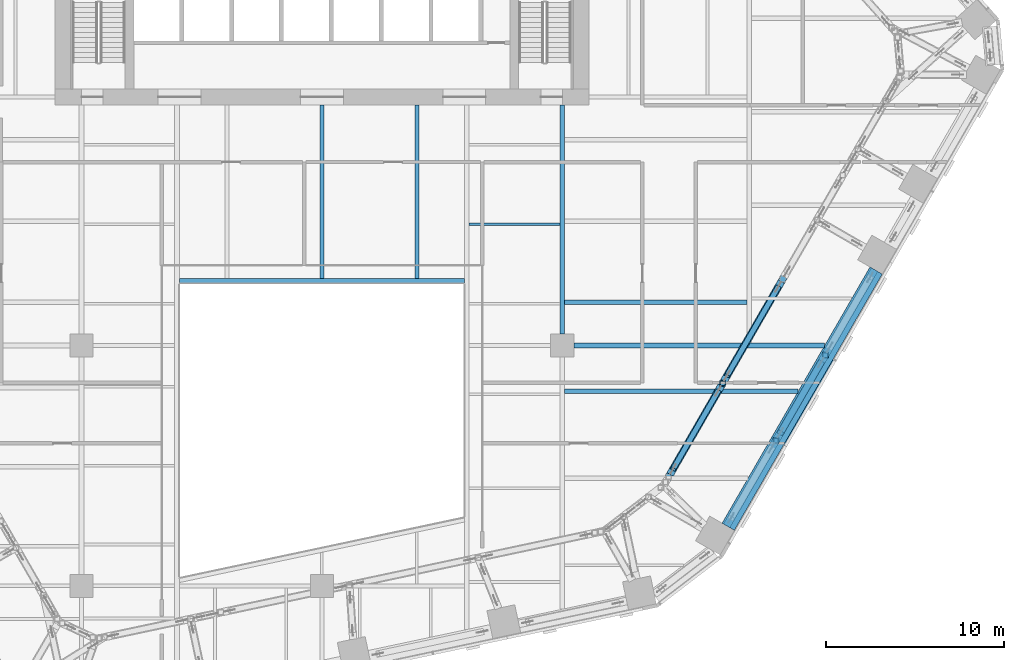
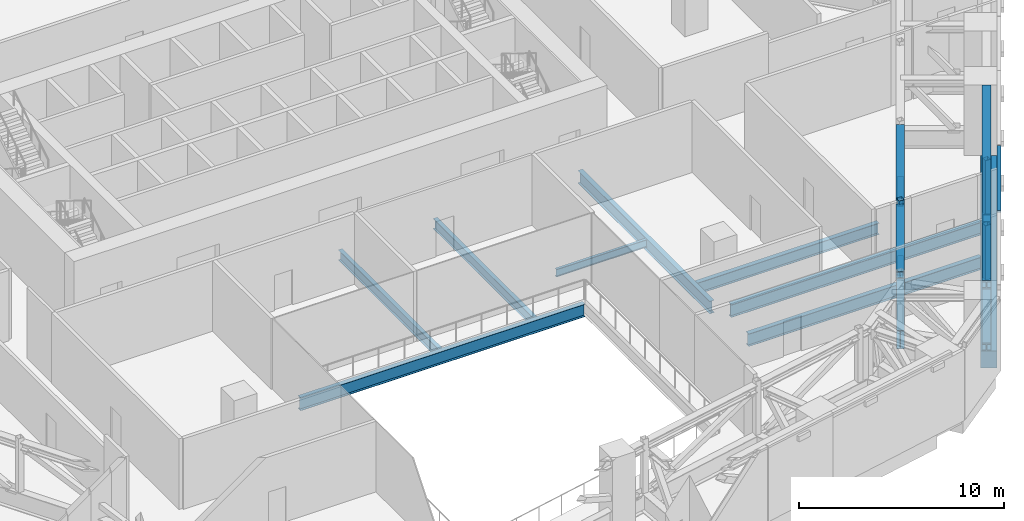
# One storey, part 8 of 36: 12 members, 9 beams, 1 element without a shape of its own.
"""IFC4 building model written with IfcOpenShell, lengths in metres."""

from ifc_helpers import new_model, si_unit, direction, frame, origin, origin_2d, place, context, subcontext, project, spatial, rectangle, hollow_rectangle, i_section, extrude, material, layer, layer_set, material_profile, profile_set, type_object, element, aggregate, save


model = new_model("IFC4")

# Units and contexts
model_context = context("Model", 3, precision=1e-05, world=origin(), true_north=direction((0.0, 1.0)))
body_context = subcontext(model_context, "Body", "Model", "MODEL_VIEW")
ifc_project = project(units=[si_unit("LENGTHUNIT", "METRE"), si_unit("AREAUNIT", "SQUARE_METRE"), si_unit("VOLUMEUNIT", "CUBIC_METRE"), si_unit("PLANEANGLEUNIT", "RADIAN"), si_unit("MASSUNIT", "GRAM", prefix="KILO")], contexts=[model_context])

# Site, building, storey
site_placement = place(None, origin())
site = spatial("IfcSite", under=ifc_project, at=site_placement, CompositionType="ELEMENT")
building_placement = place(site_placement, origin())
building = spatial("IfcBuilding", under=site, at=building_placement, Name="Isthmus Gate Tower", CompositionType="ELEMENT")
storey_placement = place(building_placement, frame((0.0, 0.0, 117.14990234375)))
storey = spatial("IfcBuildingStorey", under=building, at=storey_placement, Name="L28", CompositionType="ELEMENT", Elevation=117.14990234375)

# Members
ifc_material_1 = material(Name="Structural steel ASTM A913 Gr 65", Category="steel")
ifc_material_profile_1 = material_profile(ifc_material_1, i_section(OverallWidth=0.4287109375, OverallDepth=0.482666015625, WebThickness=0.05078125, FlangeThickness=0.0810546875, at=origin_2d()), Name="W14X455")
ifc_profile_set_1 = profile_set([ifc_material_profile_1], Name="Structural steel ASTM A913 Gr 65")
member_type_1 = type_object("IfcMemberType", Name="BELT TRUSS CHORD W14X455", PredefinedType="CHORD", material=ifc_profile_set_1)
for number, where, z_axis, x_axis, name in (
    (1, (31.03662109375, -9.242919921875, 0.241455078125), (-0.500006088445, -0.866021888591, 0.0), (0.866021888591, -0.500006088445, 0.0), "str-belt08-L28-03"),
    (2, (31.03662109375, -9.242919921875, 3.958740234375), (-0.500006088445, -0.866021888591, 0.0), (0.866021888591, -0.500006088445, 0.0), "str-belt08-L28-04"),
):
    element("IfcMember", number, at=place(storey_placement, frame(where, z_axis=z_axis, x_axis=x_axis)), inside=storey, type_object=member_type_1, Name=name, PredefinedType="CHORD", context=body_context, shape_type="SweptSolid", body=[
        extrude(i_section(OverallWidth=0.4287109375, OverallDepth=0.482666015625, WebThickness=0.05078125, FlangeThickness=0.0810546875, at=origin_2d()), origin(), (0.0, 0.0, 1.0), 16.615478515625),
    ])

# Curtain wall, member
ifc_material_2 = material(Name="Aluminium, pale champagne anodised", Category="aluminium")
ifc_layer = layer(ifc_material_2, 0.199951171875)
ifc_layer_set = layer_set([ifc_layer], Name="CW-2 LOUVRE CURTAIN WALL 200 DEEP")
curtain_wall_type = type_object("IfcCurtainWallType", Name="CW-2 LOUVRE CURTAIN WALL 200 DEEP", PredefinedType="NOTDEFINED", material=ifc_layer_set)
curtain_wall_placement = place(storey_placement, origin())
curtain_wall = element("IfcCurtainWall", 3, at=curtain_wall_placement, inside=storey, type_object=curtain_wall_type, Name="CW-2 SE L28", PredefinedType="NOTDEFINED")
ifc_material_3 = material(Name="Aluminium, pale champagne anodised", Category="aluminium")
ifc_material_profile_2 = material_profile(ifc_material_3, rectangle(XDim=0.199951171875, YDim=0.1201171875, at=origin_2d()), Name="200x120")
ifc_profile_set_2 = profile_set([ifc_material_profile_2], Name="Aluminium, pale champagne anodised")
member_type_2 = type_object("IfcMemberType", Name="CW-2 TRANSOM 200 X 120", PredefinedType="USERDEFINED", material=ifc_profile_set_2)
member_1_placement = place(storey_placement, frame((26.017822265625, -19.135986328125, 4.440185546875), z_axis=(0.499993363642, 0.866029235253, 0.0), x_axis=(-0.866029235253, 0.499993363642, 0.0)))
member_1 = element("IfcMember", 4, at=member_1_placement, type_object=member_type_2, Name="CW-2 transom", ObjectType="TRANSOM", PredefinedType="USERDEFINED", context=body_context, shape_type="SweptSolid", body=[
    extrude(rectangle(XDim=0.199951171875, YDim=0.1201171875, at=origin_2d()), origin(), (0.0, 0.0, 1.0), 5.53857421875),
])
aggregate(curtain_wall, [member_1])

# Beams
ifc_material_4 = material(Name="Concrete f'c 70 MPa", Category="concrete")
ifc_material_profile_3 = material_profile(ifc_material_4, rectangle(XDim=0.800048828125, YDim=1.0, at=origin_2d()), Name="RC 800X1000")
ifc_profile_set_3 = profile_set([ifc_material_profile_3], Name="Concrete f'c 70 MPa")
beam_type_1 = type_object("IfcBeamType", Name="RC SPANDREL 800 X 1000", PredefinedType="SPANDREL", material=ifc_profile_set_3)
beam_1_placement = place(storey_placement, frame((31.123291015625, -9.292724609375, -0.5), z_axis=(-0.499999725976, -0.866025561992, 0.0), x_axis=(0.866025561992, -0.499999725976, 0.0)))
element("IfcBeam", 5, at=beam_1_placement, inside=storey, type_object=beam_type_1, Name="str-spandrel-L28-08", PredefinedType="SPANDREL", context=body_context, shape_type="SweptSolid", body=[
    extrude(rectangle(XDim=0.800048828125, YDim=1.0, at=origin_2d()), origin(), (0.0, 0.0, 1.0), 16.61572265625),
])
ifc_material_5 = material(Name="Structural steel ASTM A992 Gr 50", Category="steel")
ifc_material_profile_4 = material_profile(ifc_material_5, i_section(OverallWidth=0.15234375, OverallDepth=0.45068359375, WebThickness=0.0078125, FlangeThickness=0.010986328125, at=origin_2d()), Name="W18X35")
ifc_profile_set_4 = profile_set([ifc_material_profile_4], Name="Structural steel ASTM A992 Gr 50")
beam_type_2 = type_object("IfcBeamType", Name="STEEL FLOOR BEAM W18X35", PredefinedType="JOIST", material=ifc_profile_set_4)
beam_2_placement = place(storey_placement, frame((8.263427734375, -6.697509765625, -0.525390625), z_axis=(1.0, 0.0, 0.0), x_axis=(0.0, 1.0, 0.0)))
element("IfcBeam", 6, at=beam_2_placement, inside=storey, type_object=beam_type_2, Name="str-beam-L28-24-01", PredefinedType="JOIST", context=body_context, shape_type="SweptSolid", body=[
    extrude(i_section(OverallWidth=0.15234375, OverallDepth=0.45068359375, WebThickness=0.0078125, FlangeThickness=0.010986328125, at=origin_2d()), origin(), (0.0, 0.0, 1.0), 5.104736328125),
])
ifc_material_6 = material(Name="Structural steel ASTM A992 Gr 50", Category="steel")
ifc_material_profile_5 = material_profile(ifc_material_6, i_section(OverallWidth=0.228515625, OverallDepth=0.603271484375, WebThickness=0.010986328125, FlangeThickness=0.014404296875, at=origin_2d()), Name="W24X68")
ifc_profile_set_5 = profile_set([ifc_material_profile_5], Name="Structural steel ASTM A992 Gr 50")
beam_type_3 = type_object("IfcBeamType", Name="STEEL FLOOR BEAM W24X68", PredefinedType="JOIST", material=ifc_profile_set_5)
for number, where, z_axis, x_axis, name in (
    (7, (0.0, -9.7333984375, -0.6015625), (0.0, 1.0, 0.0), (-1.0, 0.0, 0.0), "str-beam-L28-17-01"),
    (8, (5.333251953125, -9.7333984375, -0.6015625), (0.0, 1.0, 0.0), (-1.0, 0.0, 0.0), "str-beam-L28-17-02"),
):
    element("IfcBeam", number, at=place(storey_placement, frame(where, z_axis=z_axis, x_axis=x_axis)), inside=storey, type_object=beam_type_3, Name=name, PredefinedType="JOIST", context=body_context, shape_type="SweptSolid", body=[
        extrude(i_section(OverallWidth=0.228515625, OverallDepth=0.603271484375, WebThickness=0.010986328125, FlangeThickness=0.014404296875, at=origin_2d()), origin(), (0.0, 0.0, 1.0), 9.7333984375),
    ])
ifc_material_7 = material(Name="Structural steel ASTM A992 Gr 50", Category="steel")
ifc_material_profile_6 = material_profile(ifc_material_7, i_section(OverallWidth=0.25390625, OverallDepth=0.679443359375, WebThickness=0.010986328125, FlangeThickness=0.015869140625, at=origin_2d()), Name="W27X84")
ifc_profile_set_6 = profile_set([ifc_material_profile_6], Name="Structural steel ASTM A992 Gr 50")
beam_type_4 = type_object("IfcBeamType", Name="STEEL FLOOR BEAM W27X84", PredefinedType="JOIST", material=ifc_profile_set_6)
beam_3_placement = place(storey_placement, frame((13.6318359375, -11.0830078125, -0.6396484375), z_axis=(1.0, 0.0, 0.0), x_axis=(0.0, 1.0, 0.0)))
element("IfcBeam", 9, at=beam_3_placement, inside=storey, type_object=beam_type_4, Name="str-beam-L28-27-00", PredefinedType="JOIST", context=body_context, shape_type="SweptSolid", body=[
    extrude(i_section(OverallWidth=0.25390625, OverallDepth=0.679443359375, WebThickness=0.010986328125, FlangeThickness=0.015869140625, at=origin_2d()), origin(), (0.0, 0.0, 1.0), 10.23486328125),
])
ifc_material_8 = material(Name="Structural steel ASTM A992 Gr 50", Category="steel")
ifc_material_profile_7 = material_profile(ifc_material_8, i_section(OverallWidth=0.263427734375, OverallDepth=0.749267578125, WebThickness=0.0126953125, FlangeThickness=0.015869140625, at=origin_2d()), Name="W30X90")
ifc_profile_set_7 = profile_set([ifc_material_profile_7], Name="Structural steel ASTM A992 Gr 50")
beam_type_5 = type_object("IfcBeamType", Name="STEEL FLOOR BEAM W30X90", PredefinedType="JOIST", material=ifc_profile_set_7)
beam_4_placement = place(storey_placement, frame((13.63330078125, -16.0751953125, -0.674560546875), z_axis=(1.0, 0.0, 0.0), x_axis=(0.0, 1.0, 0.0)))
element("IfcBeam", 10, at=beam_4_placement, inside=storey, type_object=beam_type_5, Name="str-beam-L28-28-02", PredefinedType="JOIST", context=body_context, shape_type="SweptSolid", body=[
    extrude(i_section(OverallWidth=0.263427734375, OverallDepth=0.749267578125, WebThickness=0.0126953125, FlangeThickness=0.015869140625, at=origin_2d()), origin(), (0.0, 0.0, 1.0), 13.1123046875),
])
ifc_material_9 = material(Name="Structural steel ASTM A992 Gr 50", Category="steel")
ifc_material_profile_8 = material_profile(ifc_material_9, i_section(OverallWidth=0.2666015625, OverallDepth=0.7587890625, WebThickness=0.014404296875, FlangeThickness=0.01904296875, at=origin_2d()), Name="W30X108")
ifc_profile_set_8 = profile_set([ifc_material_profile_8], Name="Structural steel ASTM A992 Gr 50")
beam_type_6 = type_object("IfcBeamType", Name="STEEL GIRDER W30X108", PredefinedType="BEAM", material=ifc_profile_set_8)
beam_5_placement = place(storey_placement, frame((14.14990234375, -13.5, -0.67919921875), z_axis=(1.0, 0.0, 0.0), x_axis=(0.0, 1.0, 0.0)))
element("IfcBeam", 11, at=beam_5_placement, inside=storey, type_object=beam_type_6, Name="str-girder-L28-08", PredefinedType="BEAM", context=body_context, shape_type="SweptSolid", body=[
    extrude(i_section(OverallWidth=0.2666015625, OverallDepth=0.7587890625, WebThickness=0.014404296875, FlangeThickness=0.01904296875, at=origin_2d()), origin(), (0.0, 0.0, 1.0), 14.08251953125),
])
ifc_material_10 = material(Name="Structural steel ASTM A992 Gr 50", Category="steel")
ifc_material_profile_9 = material_profile(ifc_material_10, i_section(OverallWidth=0.263427734375, OverallDepth=0.749267578125, WebThickness=0.0126953125, FlangeThickness=0.015869140625, at=origin_2d()), Name="W30X90")
ifc_profile_set_9 = profile_set([ifc_material_profile_9], Name="Structural steel ASTM A992 Gr 50")
beam_type_7 = type_object("IfcBeamType", Name="STEEL GIRDER W30X90", PredefinedType="BEAM", material=ifc_profile_set_9)
beam_6_placement = place(storey_placement, frame((13.5, -12.85009765625, -0.674560546875), z_axis=(0.0, 1.0, 0.0), x_axis=(-1.0, 0.0, 0.0)))
element("IfcBeam", 12, at=beam_6_placement, inside=storey, type_object=beam_type_7, Name="str-girder-L28-33", PredefinedType="BEAM", context=body_context, shape_type="SweptSolid", body=[
    extrude(i_section(OverallWidth=0.263427734375, OverallDepth=0.749267578125, WebThickness=0.0126953125, FlangeThickness=0.015869140625, at=origin_2d()), origin(), (0.0, 0.0, 1.0), 12.85009765625),
])
ifc_material_11 = material(Name="Structural steel ASTM A992 Gr 50", Category="steel")
ifc_material_profile_10 = material_profile(ifc_material_11, i_section(OverallWidth=0.2666015625, OverallDepth=0.7587890625, WebThickness=0.014404296875, FlangeThickness=0.01904296875, at=origin_2d()), Name="W30X108")
ifc_profile_set_10 = profile_set([ifc_material_profile_10], Name="Structural steel ASTM A992 Gr 50")
beam_type_8 = type_object("IfcBeamType", Name="STEEL TRIMMER W30X108", PredefinedType="BEAM", material=ifc_profile_set_10)
beam_7_placement = place(storey_placement, frame((8.0, -9.86669921875, -0.67919921875), z_axis=(-1.0, 0.0, 0.0), x_axis=(0.0, -1.0, 0.0)))
element("IfcBeam", 13, at=beam_7_placement, inside=storey, type_object=beam_type_8, Name="str-trimmer-L28-04", PredefinedType="BEAM", context=body_context, shape_type="SweptSolid", body=[
    extrude(i_section(OverallWidth=0.2666015625, OverallDepth=0.7587890625, WebThickness=0.014404296875, FlangeThickness=0.01904296875, at=origin_2d()), origin(), (0.0, 0.0, 1.0), 16.0),
])

# Members
ifc_material_12 = material(Name="Structural steel ASTM A913 Gr 65", Category="steel")
ifc_material_profile_11 = material_profile(ifc_material_12, i_section(OverallWidth=0.40966796875, OverallDepth=0.42529296875, WebThickness=0.033203125, FlangeThickness=0.052490234375, at=origin_2d()), Name="W14X283")
ifc_profile_set_11 = profile_set([ifc_material_profile_11], Name="Structural steel ASTM A913 Gr 65")
member_type_3 = type_object("IfcMemberType", Name="TRANSFER TRUSS CHORD W14X283", PredefinedType="CHORD", material=ifc_profile_set_11)
member_2_placement = place(storey_placement, frame((25.796875, -9.918212890625, 3.887451171875), z_axis=(-0.499972749046, -0.866041136558, 0.0), x_axis=(0.866041136558, -0.499972749046, 0.0)))
element("IfcMember", 14, at=member_2_placement, inside=storey, type_object=member_type_3, Name="str-ring03-L28-18", PredefinedType="CHORD", context=body_context, shape_type="SweptSolid", body=[
    extrude(i_section(OverallWidth=0.40966796875, OverallDepth=0.42529296875, WebThickness=0.033203125, FlangeThickness=0.052490234375, at=origin_2d()), origin(), (0.0, 0.0, 1.0), 6.445068359375),
])
member_3_placement = place(storey_placement, frame((22.421875, -15.763916015625, 3.887451171875), z_axis=(-0.499987299922, -0.866032736054, 0.0), x_axis=(0.866032736054, -0.499987299922, 0.0)))
element("IfcMember", 15, at=member_3_placement, inside=storey, type_object=member_type_3, Name="str-ring03-L28-19", PredefinedType="CHORD", context=body_context, shape_type="SweptSolid", body=[
    extrude(i_section(OverallWidth=0.40966796875, OverallDepth=0.42529296875, WebThickness=0.033203125, FlangeThickness=0.052490234375, at=origin_2d()), origin(), (0.0, 0.0, 1.0), 5.745361328125),
])
ifc_material_13 = material(Name="Structural steel ASTM A913 Gr 65", Category="steel")
ifc_material_profile_12 = material_profile(ifc_material_13, i_section(OverallWidth=0.39990234375, OverallDepth=1.089111328125, WebThickness=0.017578125, FlangeThickness=0.03173828125, at=origin_2d()), Name="W44X230")
ifc_profile_set_12 = profile_set([ifc_material_profile_12], Name="Structural steel ASTM A913 Gr 65")
member_type_4 = type_object("IfcMemberType", Name="TRANSFER TRUSS CHORD W44X230", PredefinedType="CHORD", material=ifc_profile_set_12)
member_4_placement = place(storey_placement, frame((27.799072265625, -6.450439453125, 0.544677734375), z_axis=(-0.499992574181, -0.866029691041, 0.0), x_axis=(0.866029691041, -0.499992574181, 0.0)))
element("IfcMember", 16, at=member_4_placement, inside=storey, type_object=member_type_4, Name="str-ring03-L28-14", PredefinedType="CHORD", context=body_context, shape_type="SweptSolid", body=[
    extrude(i_section(OverallWidth=0.39990234375, OverallDepth=1.089111328125, WebThickness=0.017578125, FlangeThickness=0.03173828125, at=origin_2d()), origin(), (0.0, 0.0, 1.0), 17.212158203125),
])
ifc_material_14 = material(Name="Structural steel ASTM A500 Gr C", Category="steel")
ifc_material_profile_13 = material_profile(ifc_material_14, hollow_rectangle(XDim=0.3046875, YDim=0.3046875, WallThickness=0.014892578125, at=origin_2d()), Name="HSS12X12X5/8")
ifc_profile_set_13 = profile_set([ifc_material_profile_13], Name="Structural steel ASTM A500 Gr C")
member_type_5 = type_object("IfcMemberType", Name="TRANSFER TRUSS DIAGONAL HSS12X12X5/8", PredefinedType="BRACE", material=ifc_profile_set_13)
member_5_placement = place(storey_placement, frame((25.623291015625, -10.21923828125, 1.089111328125), z_axis=(-0.456009198693, -0.789845416588, 0.41012172413), x_axis=(0.866029327894, -0.499993203181, 0.0)))
element("IfcMember", 17, at=member_5_placement, inside=storey, type_object=member_type_5, Name="str-ring03-L28-26", PredefinedType="BRACE", context=body_context, shape_type="SweptSolid", body=[
    extrude(hollow_rectangle(XDim=0.3046875, YDim=0.3046875, WallThickness=0.014892578125, at=origin_2d()), origin(), (0.0, 0.0, 1.0), 6.3046875),
])
member_6_placement = place(storey_placement, frame((22.248291015625, -16.06494140625, 1.089111328125), z_axis=(-0.44506781729, -0.770854189204, 0.455739461754), x_axis=(0.866018134068, -0.500012591307, 0.0)))
element("IfcMember", 18, at=member_6_placement, inside=storey, type_object=member_type_5, Name="str-ring03-L28-27", PredefinedType="BRACE", context=body_context, shape_type="SweptSolid", body=[
    extrude(hollow_rectangle(XDim=0.3046875, YDim=0.3046875, WallThickness=0.014892578125, at=origin_2d()), origin(), (0.0, 0.0, 1.0), 5.673583984375),
])
ifc_material_15 = material(Name="Structural steel ASTM A500 Gr C", Category="steel")
ifc_material_profile_14 = material_profile(ifc_material_15, hollow_rectangle(XDim=0.3046875, YDim=0.3046875, WallThickness=0.014892578125, at=origin_2d()), Name="HSS12X12X5/8")
ifc_profile_set_14 = profile_set([ifc_material_profile_14], Name="Structural steel ASTM A500 Gr C")
member_type_6 = type_object("IfcMemberType", Name="TRANSFER TRUSS POST HSS12X12X5/8", PredefinedType="POST", material=ifc_profile_set_14)
member_7_placement = place(storey_placement, frame((22.498291015625, -15.632080078125, 1.089111328125), z_axis=(0.0, 0.0, 1.0), x_axis=(1.0, 0.0, 0.0)))
element("IfcMember", 19, at=member_7_placement, inside=storey, type_object=member_type_6, Name="str-ring03-L28-08", PredefinedType="POST", context=body_context, shape_type="SweptSolid", body=[
    extrude(hollow_rectangle(XDim=0.3046875, YDim=0.3046875, WallThickness=0.014892578125, at=origin_2d()), origin(), (0.0, 0.0, 1.0), 3.2109375),
])
ifc_material_16 = material(Name="Structural steel ASTM A500 Gr C", Category="steel")
ifc_material_profile_15 = material_profile(ifc_material_16, hollow_rectangle(XDim=0.355712890625, YDim=0.355712890625, WallThickness=0.017578125, at=origin_2d()), Name="HSS14X14X3/4")
ifc_profile_set_15 = profile_set([ifc_material_profile_15], Name="Structural steel ASTM A500 Gr C")
member_type_7 = type_object("IfcMemberType", Name="TRUSS DIAGONAL HSS14X14X3/4", PredefinedType="BRACE", material=ifc_profile_set_15)
member_8_placement = place(storey_placement, frame((28.017333984375, -14.47265625, 0.482666015625), z_axis=(-0.407143720138, -0.705207618547, 0.580444834498), x_axis=(0.866029704776, -0.49999255039, 0.0)))
element("IfcMember", 20, at=member_8_placement, inside=storey, type_object=member_type_7, Name="str-belt08-L28-06", PredefinedType="BRACE", context=body_context, shape_type="SweptSolid", body=[
    extrude(hollow_rectangle(XDim=0.355712890625, YDim=0.355712890625, WallThickness=0.017578125, at=origin_2d()), origin(), (0.0, 0.0, 1.0), 5.572998046875),
])
ifc_material_17 = material(Name="Structural steel ASTM A500 Gr C", Category="steel")
ifc_material_profile_16 = material_profile(ifc_material_17, hollow_rectangle(XDim=0.3046875, YDim=0.3046875, WallThickness=0.014892578125, at=origin_2d()), Name="HSS12X12X5/8")
ifc_profile_set_16 = profile_set([ifc_material_profile_16], Name="Structural steel ASTM A500 Gr C")
member_type_8 = type_object("IfcMemberType", Name="TRUSS POST HSS12X12X5/8", PredefinedType="POST", material=ifc_profile_set_16)
for number, where, z_axis, x_axis, name in (
    (21, (28.267333984375, -14.039794921875, 0.482666015625), (0.0, 0.0, 1.0), (1.0, 0.0, 0.0), "str-belt08-L28-01"),
    (22, (25.498291015625, -18.835693359375, 0.482666015625), (0.0, 0.0, 1.0), (1.0, 0.0, 0.0), "str-belt08-L28-02"),
):
    element("IfcMember", number, at=place(storey_placement, frame(where, z_axis=z_axis, x_axis=x_axis)), inside=storey, type_object=member_type_8, Name=name, PredefinedType="POST", context=body_context, shape_type="SweptSolid", body=[
        extrude(hollow_rectangle(XDim=0.3046875, YDim=0.3046875, WallThickness=0.014892578125, at=origin_2d()), origin(), (0.0, 0.0, 1.0), 3.23486328125),
    ])

save(model, "model.ifc")
